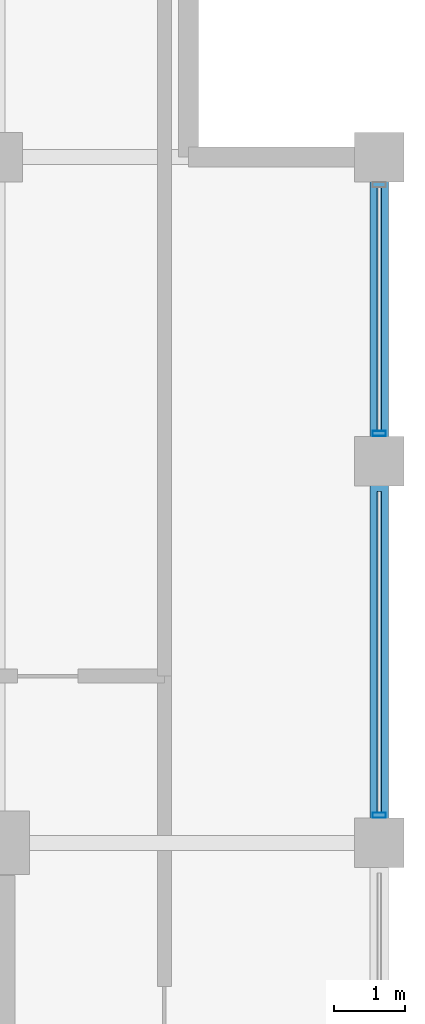
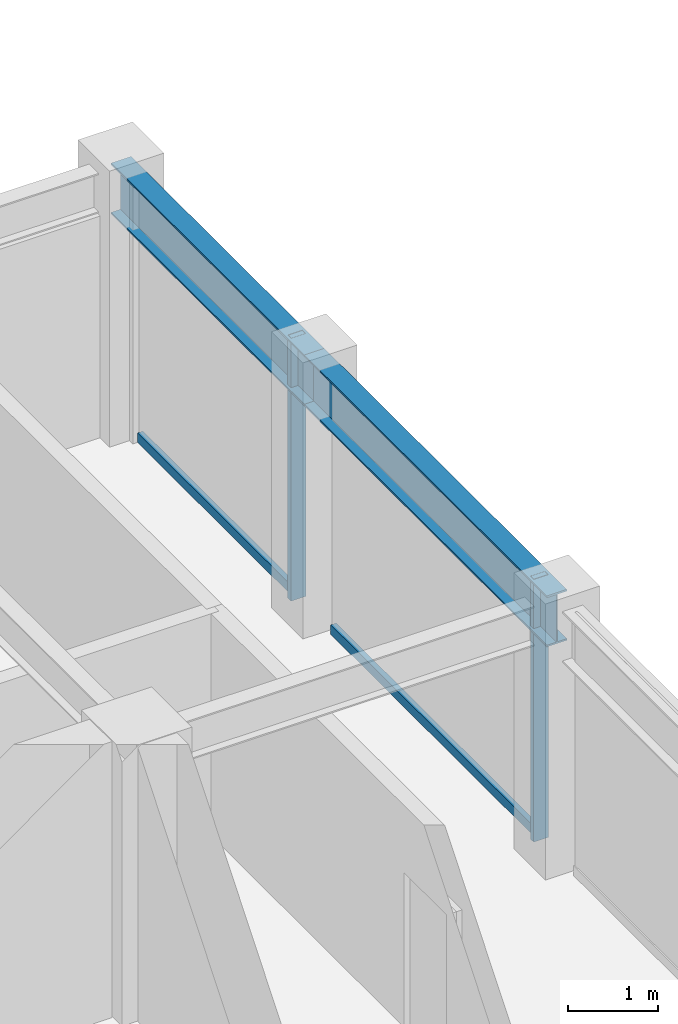
# One storey, part 21 of 31: 4 members, 2 beams, 1 element without a shape of its own.
"""IFC4 building model written with IfcOpenShell, lengths in metres."""

from ifc_helpers import new_model, si_unit, direction, frame, origin, origin_2d, place, context, subcontext, project, spatial, hollow_rectangle, i_section, extrude, material, layer, layer_set, material_profile, profile_set, type_object, element, aggregate, save


model = new_model("IFC4")

# Units and contexts
model_context = context("Model", 3, precision=1e-05, world=origin(), true_north=direction((0.0, 1.0)))
body_context = subcontext(model_context, "Body", "Model", "MODEL_VIEW")
ifc_project = project(units=[si_unit("LENGTHUNIT", "METRE"), si_unit("AREAUNIT", "SQUARE_METRE"), si_unit("VOLUMEUNIT", "CUBIC_METRE"), si_unit("PLANEANGLEUNIT", "RADIAN"), si_unit("MASSUNIT", "GRAM", prefix="KILO")], contexts=[model_context])

# Site, building, storey
site_placement = place(None, origin())
site = spatial("IfcSite", under=ifc_project, at=site_placement, CompositionType="ELEMENT")
building_placement = place(site_placement, origin())
building = spatial("IfcBuilding", under=site, at=building_placement, Name="Surkhivell Harbour Commons", CompositionType="ELEMENT")
storey_placement = place(building_placement, frame((0.0, 0.0, 288.75)))
storey = spatial("IfcBuildingStorey", under=building, at=storey_placement, Name="L75", CompositionType="ELEMENT", Elevation=288.75)

# Beams
ifc_material_1 = material(Name="Steel S355", Category="steel")
ifc_material_profile_1 = material_profile(ifc_material_1, i_section(OverallWidth=0.256103515625, OverallDepth=0.693115234375, WebThickness=0.014404296875, FlangeThickness=0.023681640625, at=origin_2d()), Name="UB686x254x170")
ifc_profile_set_1 = profile_set([ifc_material_profile_1], Name="Steel S355")
beam_type = type_object("IfcBeamType", Name="BM-SPN-686", PredefinedType="SPANDREL", material=ifc_profile_set_1)
beam_1_placement = place(storey_placement, frame((16.199951171875, 10.800048828125, 3.223388671875), z_axis=(0.0, 1.0, 0.0), x_axis=(-1.0, 0.0, 0.0)))
element("IfcBeam", 1, at=beam_1_placement, inside=storey, type_object=beam_type, Name="L75 Tube Spandrel (16.2,10.8)", PredefinedType="SPANDREL", context=body_context, shape_type="SweptSolid", body=[
    extrude(i_section(OverallWidth=0.256103515625, OverallDepth=0.693115234375, WebThickness=0.014404296875, FlangeThickness=0.023681640625, at=origin_2d()), origin(), (0.0, 0.0, 1.0), 5.39990234375),
])
beam_2_placement = place(storey_placement, frame((16.199951171875, 16.199951171875, 3.223388671875), z_axis=(0.0, 1.0, 0.0), x_axis=(-1.0, 0.0, 0.0)))
element("IfcBeam", 2, at=beam_2_placement, inside=storey, type_object=beam_type, Name="L75 Tube Spandrel (16.2,16.2)", PredefinedType="SPANDREL", context=body_context, shape_type="SweptSolid", body=[
    extrude(i_section(OverallWidth=0.256103515625, OverallDepth=0.693115234375, WebThickness=0.014404296875, FlangeThickness=0.023681640625, at=origin_2d()), origin(), (0.0, 0.0, 1.0), 4.300048828125),
])

# Curtain wall, members
ifc_material_2 = material(Name="Anodised pale-metal aluminium and insulated glazing", Category="aluminium")
ifc_layer = layer(ifc_material_2, 0.175048828125)
ifc_layer_set = layer_set([ifc_layer], Name="Anodised pale-metal aluminium and insulated glazing")
curtain_wall_type = type_object("IfcCurtainWallType", Name="CW-SYS-Z4", PredefinedType="NOTDEFINED", material=ifc_layer_set)
curtain_wall_placement = place(storey_placement, origin())
curtain_wall = element("IfcCurtainWall", 3, at=curtain_wall_placement, inside=storey, type_object=curtain_wall_type, Name="L75 Curtain Wall CW-L75-E02", PredefinedType="NOTDEFINED")
ifc_material_3 = material(Name="Anodised pale-metal aluminium alloy 6063-T6", Category="aluminium")
ifc_material_profile_2 = material_profile(ifc_material_3, hollow_rectangle(XDim=0.074951171875, YDim=0.18994140625, WallThickness=0.00390625, at=origin_2d()), Name="ALU-MULL-75x190")
ifc_profile_set_2 = profile_set([ifc_material_profile_2], Name="Anodised pale-metal aluminium alloy 6063-T6")
member_type_1 = type_object("IfcMemberType", Name="CWM-190", PredefinedType="MULLION", material=ifc_profile_set_2)
member_1_placement = place(storey_placement, frame((16.199951171875, 11.189453125, 0.0), z_axis=(0.0, 0.0, 1.0), x_axis=(0.0, 1.0, 0.0)))
member_1 = element("IfcMember", 4, at=member_1_placement, type_object=member_type_1, Name="CW-Z4 mullion 4", PredefinedType="MULLION", context=body_context, shape_type="SweptSolid", body=[
    extrude(hollow_rectangle(XDim=0.074951171875, YDim=0.18994140625, WallThickness=0.00390625, at=origin_2d()), origin(), (0.0, 0.0, 1.0), 3.570068359375),
])
member_2_placement = place(storey_placement, frame((16.199951171875, 16.589599609375, 0.0), z_axis=(0.0, 0.0, 1.0), x_axis=(0.0, 1.0, 0.0)))
member_2 = element("IfcMember", 5, at=member_2_placement, type_object=member_type_1, Name="CW-Z4 mullion 5", PredefinedType="MULLION", context=body_context, shape_type="SweptSolid", body=[
    extrude(hollow_rectangle(XDim=0.074951171875, YDim=0.18994140625, WallThickness=0.00390625, at=origin_2d()), origin(), (0.0, 0.0, 1.0), 3.570068359375),
])
ifc_material_4 = material(Name="Champagne anodised aluminium alloy 6063-T6", Category="aluminium")
ifc_material_profile_3 = material_profile(ifc_material_4, hollow_rectangle(XDim=0.070068359375, YDim=0.1298828125, WallThickness=0.00341796875, at=origin_2d()), Name="ALU-TRAN-70x130")
ifc_profile_set_3 = profile_set([ifc_material_profile_3], Name="Champagne anodised aluminium alloy 6063-T6")
member_type_2 = type_object("IfcMemberType", Name="CWT-130", PredefinedType="USERDEFINED", material=ifc_profile_set_3)
member_3_placement = place(storey_placement, frame((16.199951171875, 11.22705078125, 0.06494140625), z_axis=(0.0, 1.0, 0.0), x_axis=(-1.0, 0.0, 0.0)))
member_3 = element("IfcMember", 6, at=member_3_placement, type_object=member_type_2, Name="CW-Z4 transom 4.1", ObjectType="TRANSOM", PredefinedType="USERDEFINED", context=body_context, shape_type="SweptSolid", body=[
    extrude(hollow_rectangle(XDim=0.070068359375, YDim=0.1298828125, WallThickness=0.00341796875, at=origin_2d()), origin(), (0.0, 0.0, 1.0), 4.5458984375),
])
member_4_placement = place(storey_placement, frame((16.199951171875, 16.626953125, 0.06494140625), z_axis=(0.0, 1.0, 0.0), x_axis=(-1.0, 0.0, 0.0)))
member_4 = element("IfcMember", 7, at=member_4_placement, type_object=member_type_2, Name="CW-Z4 transom 5.1", ObjectType="TRANSOM", PredefinedType="USERDEFINED", context=body_context, shape_type="SweptSolid", body=[
    extrude(hollow_rectangle(XDim=0.070068359375, YDim=0.1298828125, WallThickness=0.00341796875, at=origin_2d()), origin(), (0.0, 0.0, 1.0), 3.446044921875),
])
aggregate(curtain_wall, [member_1, member_3, member_2, member_4])

save(model, "model.ifc")
